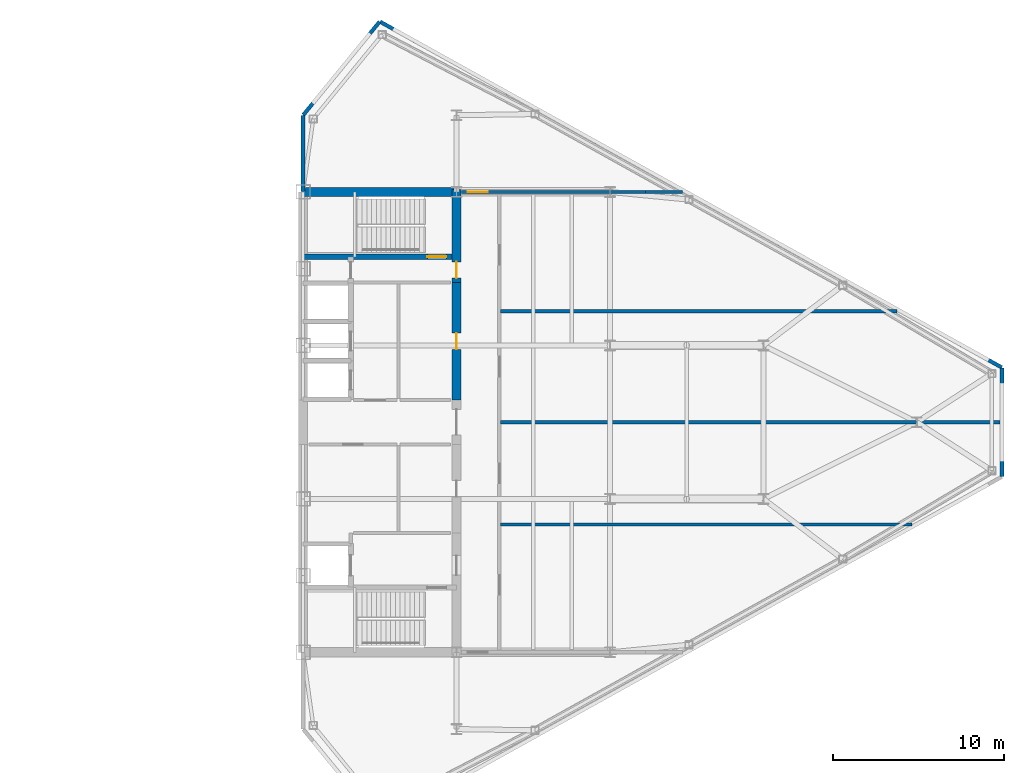
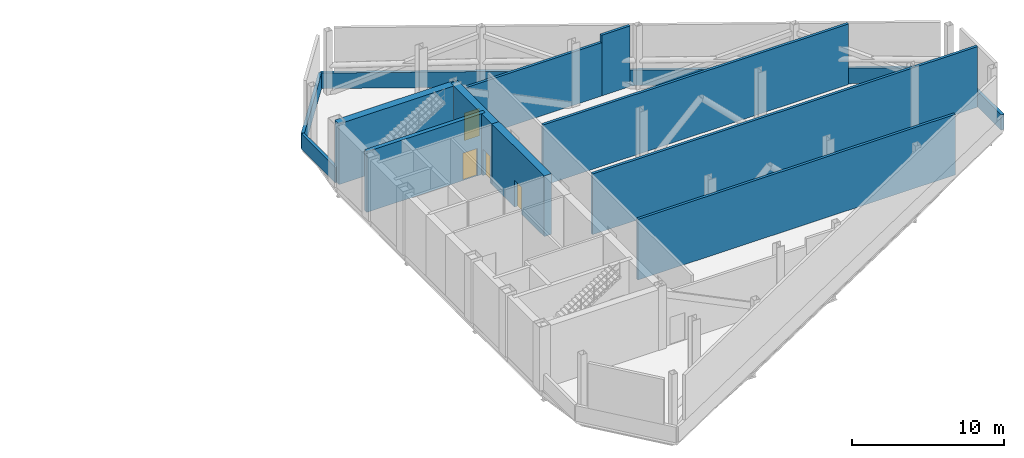
# One storey, part 9 of 11: 13 walls, 4 doors, 4 openings.
"""IFC4 building model written with IfcOpenShell, lengths in metres."""

import ifcopenshell
import ifcopenshell.guid

model = None  # the IFC model being written
_history = None  # IfcOwnerHistory: only IFC2X3 demands one
_inside = {}  # id of a spatial element -> (the spatial element, [elements in it])
_under = {}  # id of a project, library or spatial element -> (it, [spatial elements below it])
_declared = {}  # id of a project -> (the project, [libraries it declares])
_typed = {}  # id of a type object -> (the type object, [elements of that type])
_made_of = {}  # id of a material, layer set ... -> (it, [elements and type objects made of it])


def new_model(schema):
    """Start an empty IFC model of exactly this schema.

    Asked for "IFC4X3", IfcOpenShell would pick the latest addendum, in which some entities
    have other attributes; the version numbers below select the first issue.
    IFC2X3 requires an IfcOwnerHistory on every rooted entity: one is made here for all.
    """
    global model, _history
    if schema == "IFC4X3":
        model = ifcopenshell.file(schema_version=(4, 3, 0, 0))
    else:
        model = ifcopenshell.file(schema=schema)
    _inside.clear()
    _under.clear()
    _declared.clear()
    _typed.clear()
    _made_of.clear()
    _history = None
    if model.schema == "IFC2X3":
        org = make("IfcOrganization", Name="unknown")
        user = make(
            "IfcPersonAndOrganization",
            ThePerson=make("IfcPerson", FamilyName="unknown"),
            TheOrganization=org,
        )
        app = make(
            "IfcApplication",
            ApplicationDeveloper=org,
            Version="unknown",
            ApplicationFullName="unknown",
            ApplicationIdentifier="unknown",
        )
        _history = make(
            "IfcOwnerHistory",
            OwningUser=user,
            OwningApplication=app,
            ChangeAction="ADDED",
            CreationDate=0,
        )
    return model


def make(cls, **values):
    """One entity of the class cls with the attributes given. An attribute that is None is left unset."""
    return model.create_entity(
        cls, **{name: value for name, value in values.items() if value is not None}
    )


def rooted(cls, **values):
    """An entity with a GlobalId (a new one), such as an element, a storey or a relation."""
    return make(cls, GlobalId=ifcopenshell.guid.new(), OwnerHistory=_history, **values)


def si_unit(unit_type, name, prefix=None):
    """IfcSIUnit, for example si_unit("LENGTHUNIT", "METRE", prefix="MILLI")."""
    return make("IfcSIUnit", UnitType=unit_type, Prefix=prefix, Name=name)


def assignment(units):
    """IfcUnitAssignment: the units of a project."""
    return None if units is None else make("IfcUnitAssignment", Units=units)


def point(xyz):
    """IfcCartesianPoint."""
    return None if xyz is None else make("IfcCartesianPoint", Coordinates=xyz)


def direction(xyz):
    """IfcDirection."""
    return None if xyz is None else make("IfcDirection", DirectionRatios=xyz)


def frame(location, z_axis=None, x_axis=None):
    """IfcAxis2Placement3D, a coordinate frame: its origin and axes. An axis left out is left unset."""
    return make(
        "IfcAxis2Placement3D",
        Location=point(location),
        Axis=direction(z_axis),
        RefDirection=direction(x_axis),
    )


def frame_2d(location, x_axis=None):
    """IfcAxis2Placement2D, a coordinate frame in the plane: its origin and x axis."""
    return make(
        "IfcAxis2Placement2D", Location=point(location), RefDirection=direction(x_axis)
    )


def origin():
    """The frame at (0, 0, 0) with its axes left unset."""
    return frame((0.0, 0.0, 0.0))


def place(relative_to, where):
    """IfcLocalPlacement: puts the frame where relative to a parent placement (None: the world)."""
    return make(
        "IfcLocalPlacement", PlacementRelTo=relative_to, RelativePlacement=where
    )


def context(
    kind, dimensions, precision=None, world=None, true_north=None, identifier=None
):
    """IfcGeometricRepresentationContext, for example the 3D "Model" context."""
    return make(
        "IfcGeometricRepresentationContext",
        ContextIdentifier=identifier,
        ContextType=kind,
        CoordinateSpaceDimension=dimensions,
        Precision=precision,
        WorldCoordinateSystem=world,
        TrueNorth=true_north,
    )


def subcontext(parent, identifier, kind, view, scale=None):
    """IfcGeometricRepresentationSubContext, for example "Body" below "Model"."""
    return make(
        "IfcGeometricRepresentationSubContext",
        ContextIdentifier=identifier,
        ContextType=kind,
        ParentContext=parent,
        TargetScale=scale,
        TargetView=view,
    )


def project(units=None, contexts=None):
    """IfcProject with its units and contexts."""
    return rooted(
        "IfcProject",
        Name="project",
        RepresentationContexts=contexts,
        UnitsInContext=assignment(units),
    )


def spatial(cls, under=None, at=None, **own):
    """A site, building, storey or space (cls), placed at a placement, below another one or the project."""
    s = rooted(cls, ObjectPlacement=at, **own)
    if under is not None:
        _under.setdefault(under.id(), (under, []))[1].append(s)
    return s


def profile(cls, at=None, kind="AREA", **sizes):
    """A parametric profile (cls). Its sizes go by their IFC names, for example OverallWidth=200.0."""
    return make(cls, ProfileType=kind, Position=at, **sizes)


def rectangle(**sizes):
    """IfcRectangleProfileDef."""
    return profile("IfcRectangleProfileDef", **sizes)


def extrude(swept, where, along, depth):
    """IfcExtrudedAreaSolid: the profile swept, set in the frame where, extruded along a direction by depth."""
    return make(
        "IfcExtrudedAreaSolid",
        SweptArea=swept,
        Position=where,
        ExtrudedDirection=direction(along),
        Depth=depth,
    )


def shape(context_of_items, identifier, shape_type, items):
    """IfcShapeRepresentation: the items that make up one representation, for example the "Body"."""
    return make(
        "IfcShapeRepresentation",
        ContextOfItems=context_of_items,
        RepresentationIdentifier=identifier,
        RepresentationType=shape_type,
        Items=items,
    )


def source(mapping_origin, context_of_items, identifier, shape_type, items):
    """IfcRepresentationMap: a shape defined once, which mapped items show again and again."""
    return make(
        "IfcRepresentationMap",
        MappingOrigin=mapping_origin,
        MappedRepresentation=shape(context_of_items, identifier, shape_type, items),
    )


def transform(
    local_origin,
    x_axis=None,
    y_axis=None,
    z_axis=None,
    scale=None,
    scale2=None,
    scale3=None,
    uniform=True,
):
    """IfcCartesianTransformationOperator3D, or its non-uniform kind. x_axis, y_axis, z_axis: its Axis1, 2, 3."""
    if uniform:
        return make(
            "IfcCartesianTransformationOperator3D",
            Axis1=direction(x_axis),
            Axis2=direction(y_axis),
            LocalOrigin=point(local_origin),
            Scale=scale,
            Axis3=direction(z_axis),
        )
    return make(
        "IfcCartesianTransformationOperator3DnonUniform",
        Axis1=direction(x_axis),
        Axis2=direction(y_axis),
        LocalOrigin=point(local_origin),
        Scale=scale,
        Axis3=direction(z_axis),
        Scale2=scale2,
        Scale3=scale3,
    )


def mapped(mapping_source, mapping_target):
    """IfcMappedItem: shows the shape of a source again, moved by a transform."""
    return make(
        "IfcMappedItem", MappingSource=mapping_source, MappingTarget=mapping_target
    )


def material(Name=None, Category=None):
    """IfcMaterial."""
    return make("IfcMaterial", Name=Name, Category=Category)


def layer(
    of_material, thickness, ventilated=None, Name=None, Category=None, Priority=None
):
    """IfcMaterialLayer: one layer of a wall or slab, of a material (None: an air gap)."""
    return make(
        "IfcMaterialLayer",
        Material=of_material,
        LayerThickness=thickness,
        IsVentilated=ventilated,
        Name=Name,
        Category=Category,
        Priority=Priority,
    )


def layer_set(layers, Name=None):
    """IfcMaterialLayerSet."""
    return make("IfcMaterialLayerSet", MaterialLayers=layers, LayerSetName=Name)


def made_of(thing, what):
    """Note that an element or type object is made of a material, layer set ...; save() writes the relation."""
    if what is not None:
        _made_of.setdefault(what.id(), (what, []))[1].append(thing)
    return thing


def type_object(cls, material=None, **own):
    """A type object (cls), such as IfcWallType, which elements share."""
    return made_of(rooted(cls, **own), material)


def type_shapes(of_type, sources):
    """Give a type object the sources (RepresentationMaps) that its elements show as mapped items."""
    of_type.RepresentationMaps = sources


def element(
    cls,
    number,
    at=None,
    inside=None,
    cuts=None,
    type_object=None,
    material=None,
    context=None,
    identifier="Body",
    shape_type=None,
    held_by="IfcProductDefinitionShape",
    body=None,
    shapes=None,
    **own,
):
    """One element of the class cls, such as IfcWall. Its Tag is "e" and its number.

    at: its placement. inside: the storey or other place that contains it. cuts: it is an
    opening in that element (IfcRelVoidsElement). A single representation is given by context,
    identifier, shape_type and body (its items); several are given by shapes. held_by: the class
    of the entity that holds the representations. save() writes the other relations.
    """
    e = rooted(cls, Tag="e%d" % number, ObjectPlacement=at, **own)
    if body is not None:
        shapes = [shape(context, identifier, shape_type, body)]
    if shapes is not None:
        e.Representation = make(held_by, Representations=shapes)
    if inside is not None:
        _inside.setdefault(inside.id(), (inside, []))[1].append(e)
    if cuts is not None:
        rooted(
            "IfcRelVoidsElement", RelatingBuildingElement=cuts, RelatedOpeningElement=e
        )
    if type_object is not None:
        _typed.setdefault(type_object.id(), (type_object, []))[1].append(e)
    return made_of(e, material)


def fill(opening, filler):
    """IfcRelFillsElement: the door or window that sits in an opening."""
    return rooted(
        "IfcRelFillsElement",
        RelatingOpeningElement=opening,
        RelatedBuildingElement=filler,
    )


def aggregate(whole, parts):
    """IfcRelAggregates: a whole, such as a stair, and the parts it consists of."""
    return rooted("IfcRelAggregates", RelatingObject=whole, RelatedObjects=parts)


def save(model, path):
    """Write the relations noted so far, then the file.

    IfcRelAggregates (storeys below a building ...), IfcRelContainedInSpatialStructure (elements
    in a storey), IfcRelDefinesByType, IfcRelAssociatesMaterial and IfcRelDeclares: one each for
    every whole, place, type object, material and project.
    """
    for whole, parts in _under.values():
        aggregate(whole, parts)
    for where, things in _inside.values():
        rooted(
            "IfcRelContainedInSpatialStructure",
            RelatedElements=things,
            RelatingStructure=where,
        )
    for kind, things in _typed.values():
        rooted("IfcRelDefinesByType", RelatedObjects=things, RelatingType=kind)
    for what, things in _made_of.values():
        rooted("IfcRelAssociatesMaterial", RelatedObjects=things, RelatingMaterial=what)
    for by, libraries in _declared.values():
        rooted("IfcRelDeclares", RelatingContext=by, RelatedDefinitions=libraries)
    model.write(path)


model = new_model("IFC4")

# Units and contexts
model_context = context("Model", 3, precision=1e-05, world=origin(), true_north=direction((0.0, 1.0)))
body_context = subcontext(model_context, "Body", "Model", "MODEL_VIEW")
ifc_project = project(units=[si_unit("LENGTHUNIT", "METRE"), si_unit("AREAUNIT", "SQUARE_METRE"), si_unit("VOLUMEUNIT", "CUBIC_METRE"), si_unit("PLANEANGLEUNIT", "RADIAN"), si_unit("MASSUNIT", "GRAM", prefix="KILO")], contexts=[model_context])

# Site, building, storey
site_placement = place(None, origin())
site = spatial("IfcSite", under=ifc_project, at=site_placement, CompositionType="ELEMENT")
building_placement = place(site_placement, origin())
building = spatial("IfcBuilding", under=site, at=building_placement, Name="Seokmaru Belvedere", CompositionType="ELEMENT")
storey_placement = place(building_placement, frame((0.0, 0.0, 162.0)))
storey = spatial("IfcBuildingStorey", under=building, at=storey_placement, Name="L43", CompositionType="ELEMENT", Elevation=162.0)

# Walls
ifc_material_1 = material(Name="Fire-Rated Gypsum Shaftwall")
ifc_layer_1 = layer(ifc_material_1, 0.199951171875)
ifc_layer_set_1 = layer_set([ifc_layer_1], Name="Fire-Rated Gypsum Shaftwall")
wall_type_1 = type_object("IfcWallType", Name="Inter-Tenancy Fire Compartment Partition 200", PredefinedType="PARTITIONING", material=ifc_layer_set_1)
wall_1_placement = place(storey_placement, frame((39.0849609375, -6.0, 0.0), z_axis=(0.0, 0.0, 1.0), x_axis=(1.0, 0.0, 0.0)))
element("IfcWall", 1, at=wall_1_placement, inside=storey, type_object=wall_type_1, Name="L43 Interior Partition 004", PredefinedType="PARTITIONING", context=body_context, shape_type="SweptSolid", body=[
    extrude(rectangle(XDim=24.14404296875, YDim=0.199951171875, at=frame_2d((12.072021484375, 0.0))), origin(), (0.0, 0.0, 1.0), 4.8798828125),
])
wall_2_placement = place(storey_placement, frame((39.0849609375, 0.0, 0.0), z_axis=(0.0, 0.0, 1.0), x_axis=(1.0, 0.0, 0.0)))
element("IfcWall", 2, at=wall_2_placement, inside=storey, type_object=wall_type_1, Name="L43 Interior Partition 006", PredefinedType="PARTITIONING", context=body_context, shape_type="SweptSolid", body=[
    extrude(rectangle(XDim=29.300048828125, YDim=0.199951171875, at=frame_2d((14.64990234375, 0.0))), origin(), (0.0, 0.0, 1.0), 4.8798828125),
])
wall_3_placement = place(storey_placement, frame((39.0849609375, 6.5, 0.0), z_axis=(0.0, 0.0, 1.0), x_axis=(1.0, 0.0, 0.0)))
element("IfcWall", 3, at=wall_3_placement, inside=storey, type_object=wall_type_1, Name="L43 Interior Partition 008", PredefinedType="PARTITIONING", context=body_context, shape_type="SweptSolid", body=[
    extrude(rectangle(XDim=23.244873046875, YDim=0.199951171875, at=frame_2d((11.62255859375, 0.0))), origin(), (0.0, 0.0, 1.0), 4.8798828125),
])

# Wall, opening, door
wall_4_placement = place(storey_placement, frame((36.780029296875, 13.5, 0.0), z_axis=(0.0, 0.0, 1.0), x_axis=(1.0, 0.0, 0.0)))
wall_4 = element("IfcWall", 4, at=wall_4_placement, inside=storey, type_object=wall_type_1, Name="L43 Interior Partition 010", PredefinedType="PARTITIONING", context=body_context, shape_type="SweptSolid", body=[
    extrude(rectangle(XDim=10.807373046875, YDim=0.199951171875, at=frame_2d((5.40380859375, 0.0))), origin(), (0.0, 0.0, 1.0), 4.280029296875),
])
opening_1_placement = place(wall_4_placement, frame((0.39501953125, 0.0, 0.0)))
opening_1 = element("IfcOpeningElement", 5, at=opening_1_placement, cuts=wall_4, Name="Opening D02", PredefinedType="OPENING", context=body_context, shape_type="SweptSolid", body=[
    extrude(rectangle(XDim=1.14990234375, YDim=2.199951171875, at=frame_2d((0.574951171875, 1.10009765625))), frame((0.0, 0.10986328125, 0.0), z_axis=(0.0, -1.0, 0.0), x_axis=(1.0, 0.0, 0.0)), (0.0, 0.0, 1.0), 0.219970703125),
])
ifc_material_2 = material(Name="Fire-Rated Steel Leaf", Category="steel")
door_type_1 = type_object("IfcDoorType", Name="Lobby and Vestibule Fire Door 1150x2200", OperationType="NOTDEFINED", PredefinedType="DOOR", material=ifc_material_2)
shared_shape_1 = source(origin(), body_context, "Body", "SweptSolid", [
    extrude(rectangle(XDim=1.14990234375, YDim=2.199951171875, at=frame_2d((0.574951171875, 1.10009765625))), frame((0.0, 0.02490234375, 0.0), z_axis=(0.0, -1.0, 0.0), x_axis=(1.0, 0.0, 0.0)), (0.0, 0.0, 1.0), 0.050048828125),
])
type_shapes(door_type_1, [shared_shape_1])
door_1_placement = place(opening_1_placement, origin())
door_1 = element("IfcDoor", 6, at=door_1_placement, inside=storey, type_object=door_type_1, Name="L43 Interior Door 008", OperationType="SINGLE_SWING_LEFT", OverallHeight=2.199951171875, OverallWidth=1.14990234375, PredefinedType="DOOR", context=body_context, shape_type="MappedRepresentation", body=[
    mapped(shared_shape_1, transform((0.0, 0.0, 0.0), scale=1.0)),
])
fill(opening_1, door_1)

# Wall
wall_5_placement = place(storey_placement, frame((47.58740234375, 13.5, 0.0), z_axis=(0.0, 0.0, 1.0), x_axis=(1.0, 0.0, 0.0)))
element("IfcWall", 7, at=wall_5_placement, inside=storey, type_object=wall_type_1, Name="L43 Interior Partition 010 Part 2", PredefinedType="PARTITIONING", context=body_context, shape_type="SweptSolid", body=[
    extrude(rectangle(XDim=2.15625, YDim=0.199951171875, at=frame_2d((1.078125, 0.0))), origin(), (0.0, 0.0, 1.0), 4.8798828125),
])

# Wall, opening, door
ifc_material_3 = material(Name="Concrete C50 (50 MPa)", Category="concrete")
ifc_layer_2 = layer(ifc_material_3, 0.300048828125)
ifc_layer_set_2 = layer_set([ifc_layer_2], Name="Concrete C50 (50 MPa)")
wall_type_2 = type_object("IfcWallType", Name="Internal Core Stair and Hoistway Wall 300", PredefinedType="SHEAR", material=ifc_layer_set_2)
wall_6_placement = place(storey_placement, frame((27.5, 9.699951171875, 0.0), z_axis=(0.0, 0.0, 1.0), x_axis=(1.0, 0.0, 0.0)))
wall_6 = element("IfcWall", 8, at=wall_6_placement, inside=storey, type_object=wall_type_2, Name="L43 East Stair ST-2 Enclosure Wall", PredefinedType="SHEAR", context=body_context, shape_type="SweptSolid", body=[
    extrude(rectangle(XDim=9.0, YDim=0.300048828125, at=frame_2d((4.5, 0.0))), origin(), (0.0, 0.0, 1.0), 4.8798828125),
])
opening_2_placement = place(wall_6_placement, frame((7.300048828125, 0.0, 0.0)))
opening_2 = element("IfcOpeningElement", 9, at=opening_2_placement, cuts=wall_6, Name="Opening D01", PredefinedType="OPENING", context=body_context, shape_type="SweptSolid", body=[
    extrude(rectangle(XDim=1.10009765625, YDim=2.199951171875, at=frame_2d((0.550048828125, 1.10009765625))), frame((0.0, 0.16015625, 0.0), z_axis=(0.0, -1.0, 0.0), x_axis=(1.0, 0.0, 0.0)), (0.0, 0.0, 1.0), 0.320068359375),
])
door_type_2 = type_object("IfcDoorType", Name="Special Escape Stair Smokeproof Fire Door 1100x2200", OperationType="NOTDEFINED", PredefinedType="DOOR", material=ifc_material_2)
shared_shape_2 = source(origin(), body_context, "Body", "SweptSolid", [
    extrude(rectangle(XDim=1.10009765625, YDim=2.199951171875, at=frame_2d((0.550048828125, 1.10009765625))), frame((0.0, 0.02490234375, 0.0), z_axis=(0.0, -1.0, 0.0), x_axis=(1.0, 0.0, 0.0)), (0.0, 0.0, 1.0), 0.050048828125),
])
type_shapes(door_type_2, [shared_shape_2])
door_2_placement = place(opening_2_placement, origin())
door_2 = element("IfcDoor", 10, at=door_2_placement, inside=storey, type_object=door_type_2, Name="L43 East Special Escape Stair ST-2 Door", OperationType="SINGLE_SWING_LEFT", OverallHeight=2.199951171875, OverallWidth=1.10009765625, PredefinedType="DOOR", context=body_context, shape_type="MappedRepresentation", body=[
    mapped(shared_shape_2, transform((0.0, 0.0, 0.0), scale=1.0)),
])
fill(opening_2, door_2)

# Wall
ifc_layer_3 = layer(ifc_material_3, 0.550048828125)
ifc_layer_set_3 = layer_set([ifc_layer_3], Name="Concrete C50 (50 MPa)")
wall_type_3 = type_object("IfcWallType", Name="Mid-High Reinforced Concrete Core Wall 550", PredefinedType="SHEAR", material=ifc_layer_set_3)
wall_7_placement = place(storey_placement, frame((27.5, 13.5, 0.0), z_axis=(0.0, 0.0, 1.0), x_axis=(1.0, 0.0, 0.0)))
element("IfcWall", 11, at=wall_7_placement, inside=storey, type_object=wall_type_3, Name="L43 East North Core Wall", PredefinedType="SHEAR", context=body_context, shape_type="SweptSolid", body=[
    extrude(rectangle(XDim=9.0, YDim=0.550048828125, at=frame_2d((4.5, 0.0))), origin(), (0.0, 0.0, 1.0), 4.8798828125),
])

# Wall, opening, door
wall_8_placement = place(storey_placement, frame((36.5, 8.199951171875, 0.0), z_axis=(0.0, 0.0, 1.0), x_axis=(0.0, 1.0, 0.0)))
wall_8 = element("IfcWall", 12, at=wall_8_placement, inside=storey, type_object=wall_type_3, Name="L43 East West Core Wall VST", PredefinedType="SHEAR", context=body_context, shape_type="SweptSolid", body=[
    extrude(rectangle(XDim=5.449951171875, YDim=0.550048828125, at=frame_2d((2.72509765625, 0.0))), origin(), (0.0, 0.0, 1.0), 4.8798828125),
])
opening_3_placement = place(wall_8_placement, frame((0.2451171875, 0.0, 0.0)))
opening_3 = element("IfcOpeningElement", 13, at=opening_3_placement, cuts=wall_8, Name="Opening D04", PredefinedType="OPENING", context=body_context, shape_type="SweptSolid", body=[
    extrude(rectangle(XDim=0.949951171875, YDim=2.14990234375, at=frame_2d((0.47509765625, 1.074951171875))), frame((0.0, 0.28515625, 0.0), z_axis=(0.0, -1.0, 0.0), x_axis=(1.0, 0.0, 0.0)), (0.0, 0.0, 1.0), 0.570068359375),
])
door_type_3 = type_object("IfcDoorType", Name="Core Service Room Fire Door 950x2150", OperationType="NOTDEFINED", PredefinedType="DOOR", material=ifc_material_2)
shared_shape_3 = source(origin(), body_context, "Body", "SweptSolid", [
    extrude(rectangle(XDim=0.949951171875, YDim=2.14990234375, at=frame_2d((0.47509765625, 1.074951171875))), frame((0.0, 0.02490234375, 0.0), z_axis=(0.0, -1.0, 0.0), x_axis=(1.0, 0.0, 0.0)), (0.0, 0.0, 1.0), 0.050048828125),
])
type_shapes(door_type_3, [shared_shape_3])
door_3_placement = place(opening_3_placement, origin())
door_3 = element("IfcDoor", 14, at=door_3_placement, inside=storey, type_object=door_type_3, Name="L43 East Smokeproof Vestibule Door", OperationType="SINGLE_SWING_LEFT", OverallHeight=2.14990234375, OverallWidth=0.949951171875, PredefinedType="DOOR", context=body_context, shape_type="MappedRepresentation", body=[
    mapped(shared_shape_3, transform((0.0, 0.0, 0.0), scale=1.0)),
])
fill(opening_3, door_3)

wall_9_placement = place(storey_placement, frame((36.5, 1.300048828125, 0.0), z_axis=(0.0, 0.0, 1.0), x_axis=(0.0, 1.0, 0.0)))
wall_9 = element("IfcWall", 15, at=wall_9_placement, inside=storey, type_object=wall_type_3, Name="L43 East West Core Wall CS2", PredefinedType="SHEAR", context=body_context, shape_type="SweptSolid", body=[
    extrude(rectangle(XDim=6.89990234375, YDim=0.550048828125, at=frame_2d((3.449951171875, 0.0))), origin(), (0.0, 0.0, 1.0), 4.8798828125),
])
opening_4_placement = place(wall_9_placement, frame((2.97509765625, 0.0, 0.0)))
opening_4 = element("IfcOpeningElement", 16, at=opening_4_placement, cuts=wall_9, Name="Opening D04", PredefinedType="OPENING", context=body_context, shape_type="SweptSolid", body=[
    extrude(rectangle(XDim=0.949951171875, YDim=2.14990234375, at=frame_2d((0.47509765625, 1.074951171875))), frame((0.0, 0.28515625, 0.0), z_axis=(0.0, -1.0, 0.0), x_axis=(1.0, 0.0, 0.0)), (0.0, 0.0, 1.0), 0.570068359375),
])
door_4_placement = place(opening_4_placement, origin())
door_4 = element("IfcDoor", 17, at=door_4_placement, inside=storey, type_object=door_type_3, Name="L43 East Core Service Room Door 2", OperationType="SINGLE_SWING_LEFT", OverallHeight=2.14990234375, OverallWidth=0.949951171875, PredefinedType="DOOR", context=body_context, shape_type="MappedRepresentation", body=[
    mapped(shared_shape_3, transform((0.0, 0.0, 0.0), scale=1.0)),
])
fill(opening_4, door_4)

# Walls
ifc_material_4 = material(Name="Concrete C40 (40 MPa)", Category="concrete")
ifc_layer_4 = layer(ifc_material_4, 0.219970703125)
ifc_layer_set_4 = layer_set([ifc_layer_4], Name="Concrete C40 (40 MPa)")
wall_type_4 = type_object("IfcWallType", Name="Refuge and Roof Concrete Parapet 220", PredefinedType="PARAPET", material=ifc_layer_set_4)
wall_10_placement = place(storey_placement, frame((68.5, -3.179931640625, 0.0), z_axis=(0.0, 0.0, 1.0), x_axis=(0.0, 1.0, 0.0)))
element("IfcWall", 18, at=wall_10_placement, inside=storey, type_object=wall_type_4, Name="L43 E Refuge Perimeter Parapet 2", PredefinedType="PARAPET", context=body_context, shape_type="SweptSolid", body=[
    extrude(rectangle(XDim=6.35986328125, YDim=0.219970703125, at=frame_2d((3.179931640625, 0.0))), origin(), (0.0, 0.0, 1.0), 1.25),
])
wall_11_placement = place(storey_placement, frame((68.482421875, 3.209716796875, 0.0), z_axis=(0.0, 0.0, 1.0), x_axis=(-0.873930586172, 0.486050748947, 0.0)))
element("IfcWall", 19, at=wall_11_placement, inside=storey, type_object=wall_type_4, Name="L43 E Refuge Perimeter Parapet 3", PredefinedType="PARAPET", context=body_context, shape_type="SweptSolid", body=[
    extrude(rectangle(XDim=41.72509765625, YDim=0.219970703125, at=frame_2d((20.862548828125, 0.0))), origin(), (0.0, 0.0, 1.0), 1.25),
])
wall_12_placement = place(storey_placement, frame((31.9873046875, 23.484619140625, 0.0), z_axis=(0.0, 0.0, 1.0), x_axis=(-0.633218976113, -0.773972692213, 0.0)))
element("IfcWall", 20, at=wall_12_placement, inside=storey, type_object=wall_type_4, Name="L43 E Refuge Perimeter Parapet 4", PredefinedType="PARAPET", context=body_context, shape_type="SweptSolid", body=[
    extrude(rectangle(XDim=7.06640625, YDim=0.219970703125, at=frame_2d((3.533203125, 0.0))), origin(), (0.0, 0.0, 1.0), 1.25),
])
wall_13_placement = place(storey_placement, frame((27.5, 13.52001953125, 0.0), z_axis=(0.0, 0.0, 1.0), x_axis=(0.0, 1.0, 0.0)))
element("IfcWall", 21, at=wall_13_placement, inside=storey, type_object=wall_type_4, Name="L43 E Refuge Spine Shoulder Parapet 2", PredefinedType="PARAPET", context=body_context, shape_type="SweptSolid", body=[
    extrude(rectangle(XDim=4.4599609375, YDim=0.219970703125, at=frame_2d((2.22998046875, 0.0))), origin(), (0.0, 0.0, 1.0), 1.25),
])

save(model, "model.ifc")
